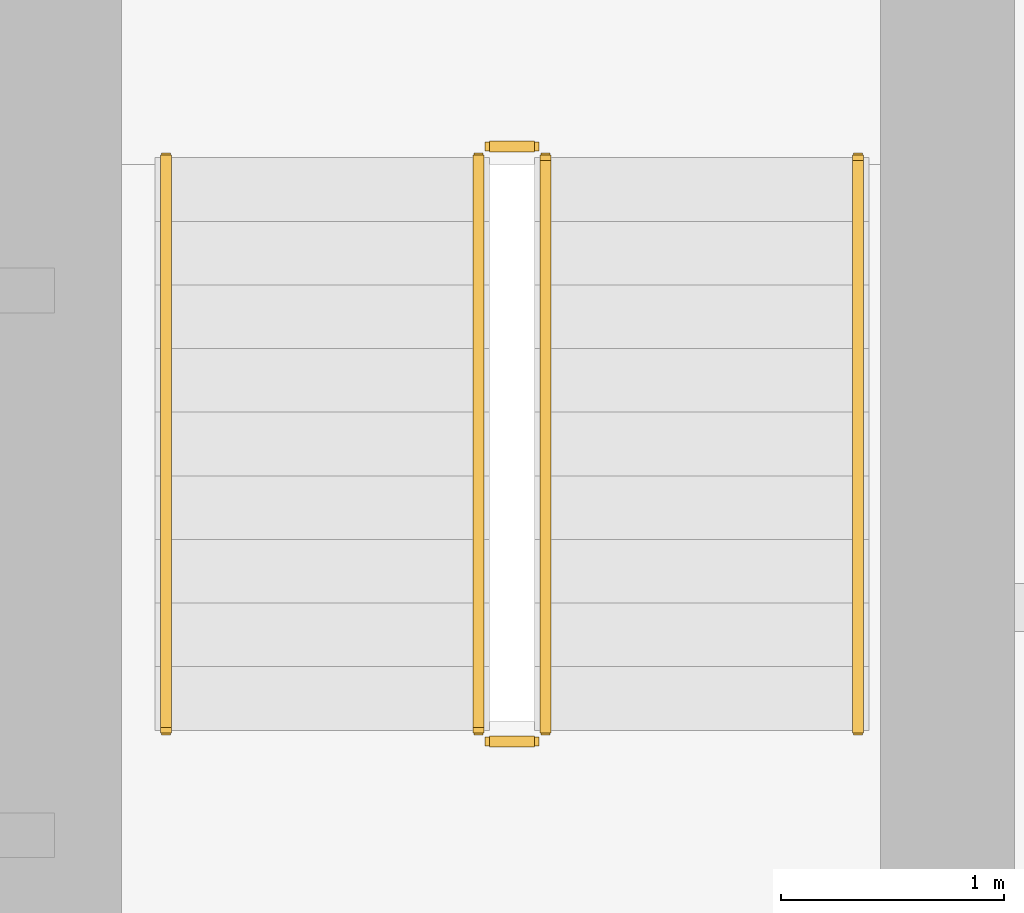
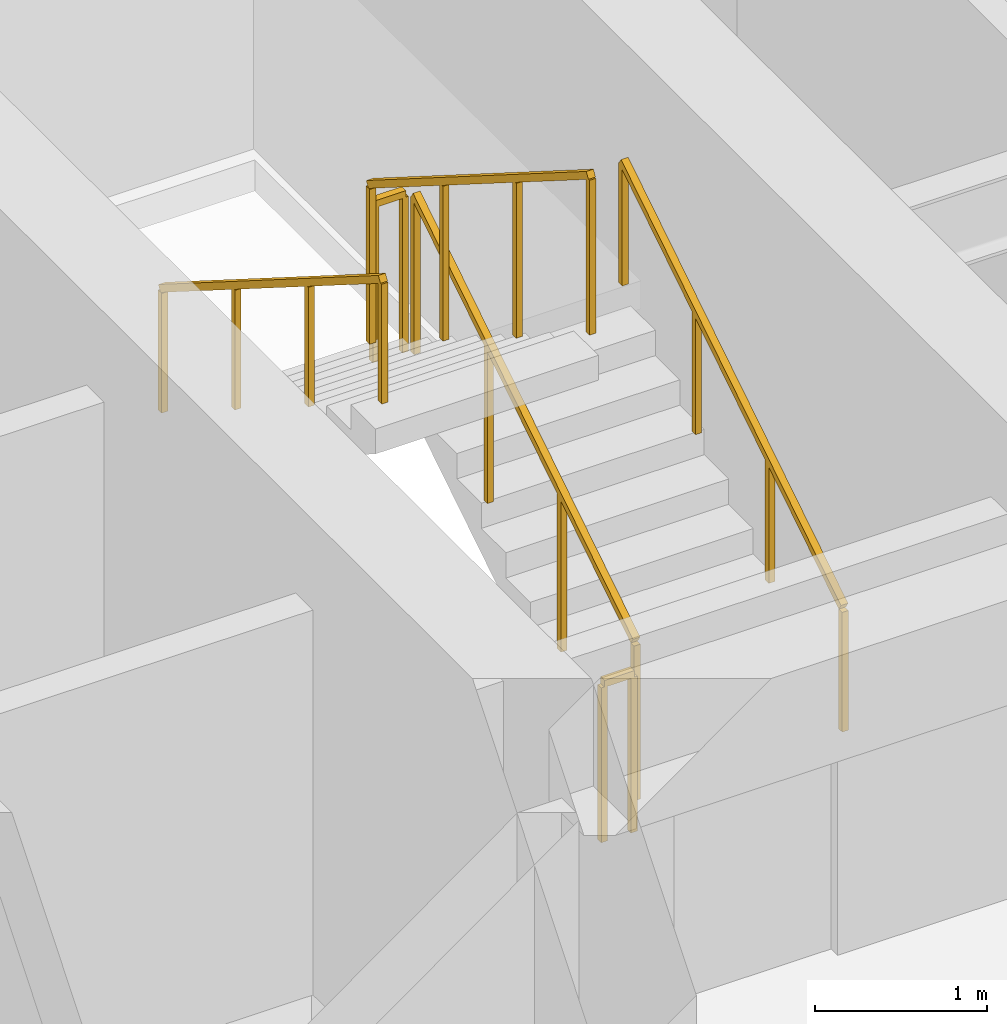
# One storey, part 26 of 26: 6 railings.
"""IFC4 building model written with IfcOpenShell, lengths in metres."""

from ifc_helpers import new_model, si_unit, direction, frame, origin, origin_2d, place, context, subcontext, project, spatial, rectangle, extrude, material, type_object, element, save


model = new_model("IFC4")

# Units and contexts
model_context = context("Model", 3, precision=1e-05, world=origin(), true_north=direction((0.0, 1.0)))
body_context = subcontext(model_context, "Body", "Model", "MODEL_VIEW")
ifc_project = project(units=[si_unit("LENGTHUNIT", "METRE"), si_unit("AREAUNIT", "SQUARE_METRE"), si_unit("VOLUMEUNIT", "CUBIC_METRE"), si_unit("PLANEANGLEUNIT", "RADIAN"), si_unit("MASSUNIT", "GRAM", prefix="KILO")], contexts=[model_context])

# Site, building, storey
site_placement = place(None, origin())
site = spatial("IfcSite", under=ifc_project, at=site_placement, CompositionType="ELEMENT")
building_placement = place(site_placement, origin())
building = spatial("IfcBuilding", under=site, at=building_placement, Name="Sarneth Arch Tower", CompositionType="ELEMENT")
storey_placement = place(building_placement, frame((0.0, 0.0, 60.60009765625)))
storey = spatial("IfcBuildingStorey", under=building, at=storey_placement, Name="L14", CompositionType="ELEMENT", Elevation=60.60009765625)

# Railings
ifc_material_1 = material(Name="Brushed Stainless Steel 304 tubular handrail", Category="steel")
railing_type_1 = type_object("IfcRailingType", Name="RAIL-HANDRAIL-900", PredefinedType="HANDRAIL", material=ifc_material_1)
railing_1_placement = place(storey_placement, frame((58.60009765625, 41.449951171875, 0.179931640625)))
element("IfcRailing", 1, at=railing_1_placement, inside=storey, type_object=railing_type_1, Name="L14 ST-2 stair handrail 1", PredefinedType="HANDRAIL", context=body_context, shape_type="SweptSolid", body=[
    extrude(rectangle(XDim=0.048095703125, YDim=0.048095703125, at=origin_2d()), frame((0.0, 0.0, 0.8759765625), z_axis=(0.0, 0.845502289212, 0.533971796014), x_axis=(-1.0, 0.0, 0.0)), (0.0, 0.0, 1.0), 3.03369140625),
    extrude(rectangle(XDim=0.0419921875, YDim=0.0419921875, at=origin_2d()), origin(), (0.0, 0.0, 1.0), 0.851806640625),
    extrude(rectangle(XDim=0.0419921875, YDim=0.0419921875, at=origin_2d()), frame((0.0, 0.85498046875, 0.5400390625)), (0.0, 0.0, 1.0), 0.851806640625),
    extrude(rectangle(XDim=0.0419921875, YDim=0.0419921875, at=origin_2d()), frame((0.0, 1.7099609375, 1.079833984375)), (0.0, 0.0, 1.0), 0.851806640625),
    extrude(rectangle(XDim=0.0419921875, YDim=0.0419921875, at=origin_2d()), frame((0.0, 2.56494140625, 1.619873046875)), (0.0, 0.0, 1.0), 0.851806640625),
])
railing_2_placement = place(storey_placement, frame((55.5, 44.014892578125, 1.97998046875)))
element("IfcRailing", 2, at=railing_2_placement, inside=storey, type_object=railing_type_1, Name="L14 ST-2 stair handrail 2", PredefinedType="HANDRAIL", context=body_context, shape_type="SweptSolid", body=[
    extrude(rectangle(XDim=0.048095703125, YDim=0.048095703125, at=origin_2d()), frame((0.0, 0.0, 0.8759765625), z_axis=(0.0, -0.845502289212, 0.533971796014), x_axis=(1.0, 0.0, 0.0)), (0.0, 0.0, 1.0), 3.03369140625),
    extrude(rectangle(XDim=0.0419921875, YDim=0.0419921875, at=origin_2d()), origin(), (0.0, 0.0, 1.0), 0.851806640625),
    extrude(rectangle(XDim=0.0419921875, YDim=0.0419921875, at=origin_2d()), frame((0.0, -0.85498046875, 0.5400390625)), (0.0, 0.0, 1.0), 0.851806640625),
    extrude(rectangle(XDim=0.0419921875, YDim=0.0419921875, at=origin_2d()), frame((0.0, -1.7099609375, 1.079833984375)), (0.0, 0.0, 1.0), 0.851806640625),
    extrude(rectangle(XDim=0.0419921875, YDim=0.0419921875, at=origin_2d()), frame((0.0, -2.56494140625, 1.619873046875)), (0.0, 0.0, 1.0), 0.851806640625),
])
ifc_material_2 = material(Name="Painted Steel S275 stair well guard", Category="steel")
railing_type_2 = type_object("IfcRailingType", Name="RAIL-STAIR-GUARD", PredefinedType="GUARDRAIL", material=ifc_material_2)
railing_3_placement = place(storey_placement, frame((57.199951171875, 41.449951171875, 0.179931640625)))
element("IfcRailing", 3, at=railing_3_placement, inside=storey, type_object=railing_type_2, Name="L14 ST-2 stair guard 1", PredefinedType="GUARDRAIL", context=body_context, shape_type="SweptSolid", body=[
    extrude(rectangle(XDim=0.048095703125, YDim=0.048095703125, at=origin_2d()), frame((0.0, 0.0, 1.1259765625), z_axis=(0.0, 0.845502289212, 0.533971796014), x_axis=(-1.0, 0.0, 0.0)), (0.0, 0.0, 1.0), 3.03369140625),
    extrude(rectangle(XDim=0.0419921875, YDim=0.0419921875, at=origin_2d()), origin(), (0.0, 0.0, 1.0), 1.101806640625),
    extrude(rectangle(XDim=0.0419921875, YDim=0.0419921875, at=origin_2d()), frame((0.0, 0.85498046875, 0.5400390625)), (0.0, 0.0, 1.0), 1.101806640625),
    extrude(rectangle(XDim=0.0419921875, YDim=0.0419921875, at=origin_2d()), frame((0.0, 1.7099609375, 1.079833984375)), (0.0, 0.0, 1.0), 1.101806640625),
    extrude(rectangle(XDim=0.0419921875, YDim=0.0419921875, at=origin_2d()), frame((0.0, 2.56494140625, 1.619873046875)), (0.0, 0.0, 1.0), 1.101806640625),
])
railing_4_placement = place(storey_placement, frame((57.14990234375, 44.06494140625, 1.7998046875)))
element("IfcRailing", 4, at=railing_4_placement, inside=storey, type_object=railing_type_2, Name="L14 ST-2 stair guard 2", PredefinedType="GUARDRAIL", context=body_context, shape_type="SweptSolid", body=[
    extrude(rectangle(XDim=0.048095703125, YDim=0.048095703125, at=origin_2d()), frame((0.0, 0.0, 1.1259765625), z_axis=(-1.0, 0.0, 0.0), x_axis=(0.0, -1.0, 0.0)), (0.0, 0.0, 1.0), 0.199951171875),
    extrude(rectangle(XDim=0.0419921875, YDim=0.0419921875, at=origin_2d()), origin(), (0.0, 0.0, 1.0), 1.101806640625),
    extrude(rectangle(XDim=0.0419921875, YDim=0.0419921875, at=origin_2d()), frame((-0.199951171875, 0.0, 0.0)), (0.0, 0.0, 1.0), 1.101806640625),
])
railing_5_placement = place(storey_placement, frame((56.89990234375, 44.014892578125, 1.97998046875)))
element("IfcRailing", 5, at=railing_5_placement, inside=storey, type_object=railing_type_2, Name="L14 ST-2 stair guard 3", PredefinedType="GUARDRAIL", context=body_context, shape_type="SweptSolid", body=[
    extrude(rectangle(XDim=0.048095703125, YDim=0.048095703125, at=origin_2d()), frame((0.0, 0.0, 1.1259765625), z_axis=(0.0, -0.845502289212, 0.533971796014), x_axis=(1.0, 0.0, 0.0)), (0.0, 0.0, 1.0), 3.03369140625),
    extrude(rectangle(XDim=0.0419921875, YDim=0.0419921875, at=origin_2d()), origin(), (0.0, 0.0, 1.0), 1.101806640625),
    extrude(rectangle(XDim=0.0419921875, YDim=0.0419921875, at=origin_2d()), frame((0.0, -0.85498046875, 0.5400390625)), (0.0, 0.0, 1.0), 1.101806640625),
    extrude(rectangle(XDim=0.0419921875, YDim=0.0419921875, at=origin_2d()), frame((0.0, -1.7099609375, 1.079833984375)), (0.0, 0.0, 1.0), 1.101806640625),
    extrude(rectangle(XDim=0.0419921875, YDim=0.0419921875, at=origin_2d()), frame((0.0, -2.56494140625, 1.619873046875)), (0.0, 0.0, 1.0), 1.101806640625),
])
railing_6_placement = place(storey_placement, frame((57.14990234375, 41.39990234375, 0.0)))
element("IfcRailing", 6, at=railing_6_placement, inside=storey, type_object=railing_type_2, Name="L14 ST-2 stair guard 4", PredefinedType="GUARDRAIL", context=body_context, shape_type="SweptSolid", body=[
    extrude(rectangle(XDim=0.048095703125, YDim=0.048095703125, at=origin_2d()), frame((0.0, 0.0, 1.1259765625), z_axis=(-1.0, 0.0, 0.0), x_axis=(0.0, -1.0, 0.0)), (0.0, 0.0, 1.0), 0.199951171875),
    extrude(rectangle(XDim=0.0419921875, YDim=0.0419921875, at=origin_2d()), origin(), (0.0, 0.0, 1.0), 1.101806640625),
    extrude(rectangle(XDim=0.0419921875, YDim=0.0419921875, at=origin_2d()), frame((-0.199951171875, 0.0, 0.0)), (0.0, 0.0, 1.0), 1.101806640625),
])

save(model, "model.ifc")
